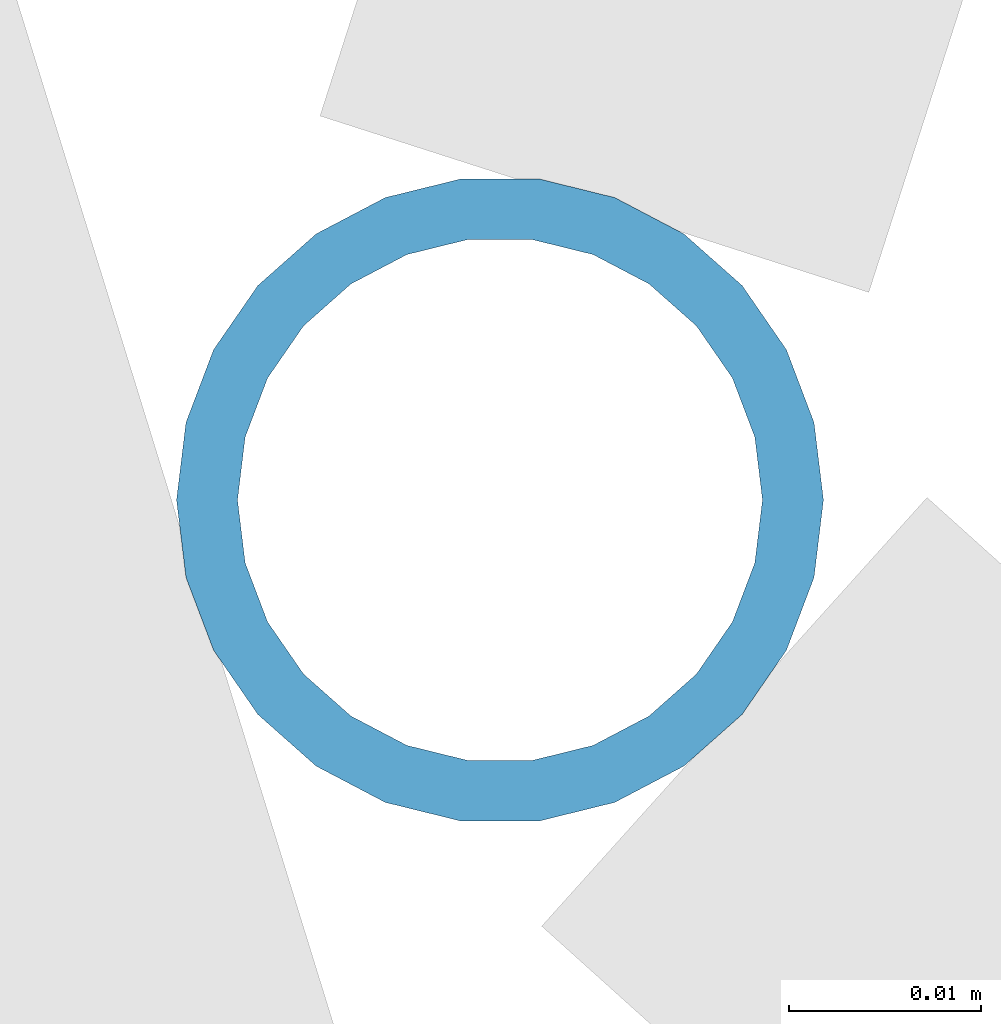
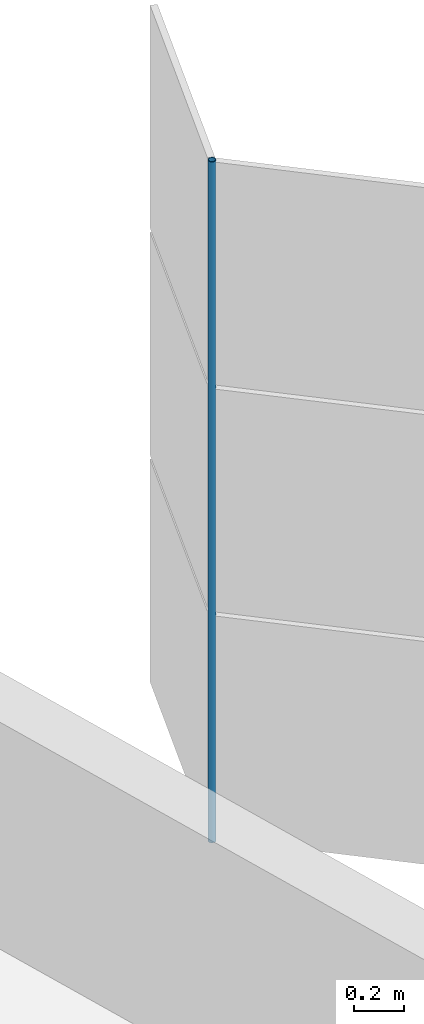
# One storey, part 137 of 214: 1 discrete accessory.
"""IFC4 building model written with IfcOpenShell, lengths in metres."""

from ifc_helpers import new_model, si_unit, direction, frame, origin, origin_2d, place, context, subcontext, project, spatial, hollow_circle, extrude, material, material_profile, profile_set, type_object, element, save


model = new_model("IFC4")

# Units and contexts
model_context = context("Model", 3, precision=1e-05, world=origin(), true_north=direction((0.0, 1.0)))
body_context = subcontext(model_context, "Body", "Model", "MODEL_VIEW")
ifc_project = project(units=[si_unit("LENGTHUNIT", "METRE"), si_unit("AREAUNIT", "SQUARE_METRE"), si_unit("VOLUMEUNIT", "CUBIC_METRE"), si_unit("PLANEANGLEUNIT", "RADIAN"), si_unit("MASSUNIT", "GRAM", prefix="KILO")], contexts=[model_context])

# Site, building, storey
site_placement = place(None, origin())
site = spatial("IfcSite", under=ifc_project, at=site_placement, CompositionType="ELEMENT")
building_placement = place(site_placement, origin())
building = spatial("IfcBuilding", under=site, at=building_placement, Name="Parallax Yard Mobility Hub", CompositionType="ELEMENT")
storey_placement = place(building_placement, frame((0.0, 0.0, 3.300048828125)))
storey = spatial("IfcBuildingStorey", under=building, at=storey_placement, Name="L01", CompositionType="ELEMENT", Elevation=3.300048828125)

# Discrete accessory
ifc_material = material(Name="Steel ASTM A500 Gr C, hot-dip galvanised", Category="steel")
ifc_material_profile = material_profile(ifc_material, hollow_circle(Radius=0.016845703125, WallThickness=0.003173828125, at=origin_2d()), Name="CHS 33.7x3.2")
ifc_profile_set = profile_set([ifc_material_profile], Name="Steel ASTM A500 Gr C, hot-dip galvanised")
discrete_accessory_type = type_object("IfcDiscreteAccessoryType", Name="Hinge post CHS 33.7x3.2", PredefinedType="BRACKET", material=ifc_profile_set)
discrete_accessory_placement = place(storey_placement, frame((223.566162109375, 105.33935546875, 0.0), z_axis=(0.0, 0.0, 1.0), x_axis=(1.0, 0.0, 0.0)))
element("IfcDiscreteAccessory", 1, at=discrete_accessory_placement, inside=storey, type_object=discrete_accessory_type, Name="Hinge post bay 42.7 level L01", PredefinedType="BRACKET", context=body_context, shape_type="SweptSolid", body=[
    extrude(hollow_circle(Radius=0.016845703125, WallThickness=0.003173828125, at=origin_2d()), origin(), (0.0, 0.0, 1.0), 3.300048828125),
])

save(model, "model.ifc")
